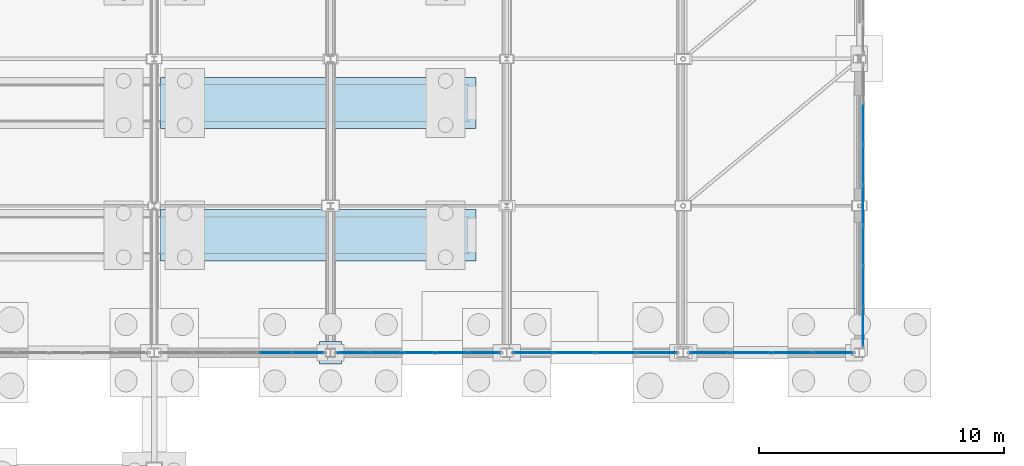
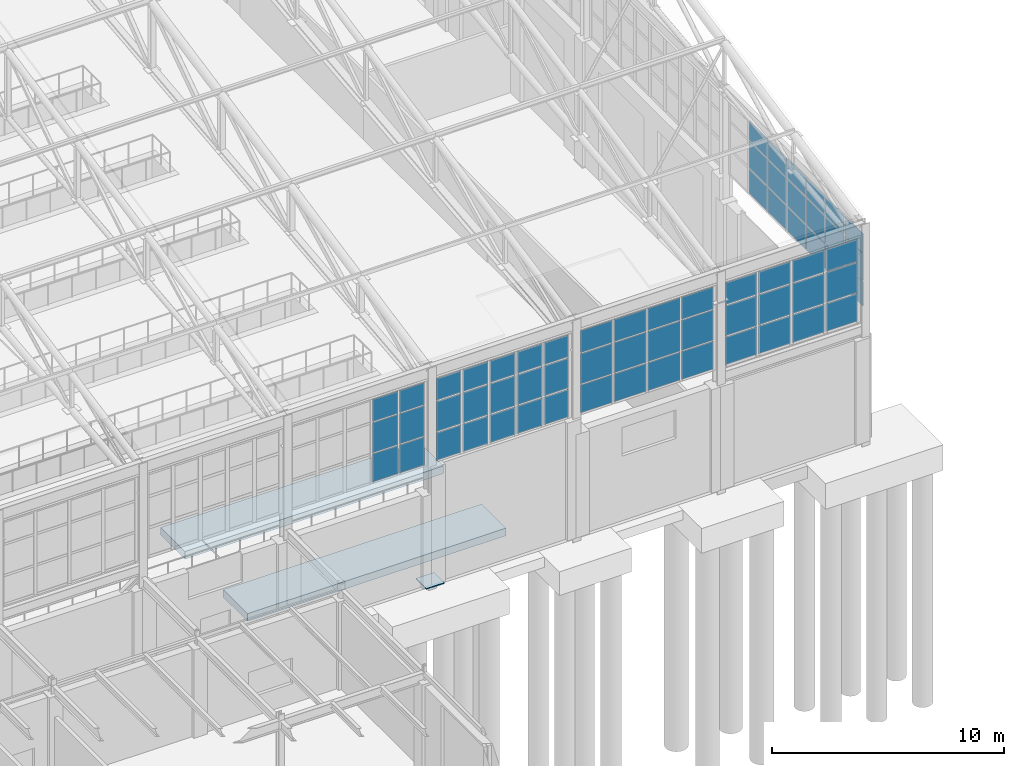
# One storey, part 246 of 293: 64 plates, 2 slabs, 5 elements without a shape of their own.
"""IFC4 building model written with IfcOpenShell, lengths in metres."""

from ifc_helpers import new_model, si_unit, direction, frame, origin, origin_2d, place, context, subcontext, project, spatial, polyline, rectangle, outline, extrude, material, layer, layer_set, type_object, element, aggregate, save


model = new_model("IFC4")

# Units and contexts
model_context = context("Model", 3, precision=1e-05, world=origin(), true_north=direction((0.0, 1.0)))
body_context = subcontext(model_context, "Body", "Model", "MODEL_VIEW")
ifc_project = project(units=[si_unit("LENGTHUNIT", "METRE"), si_unit("AREAUNIT", "SQUARE_METRE"), si_unit("VOLUMEUNIT", "CUBIC_METRE"), si_unit("PLANEANGLEUNIT", "RADIAN"), si_unit("MASSUNIT", "GRAM", prefix="KILO")], contexts=[model_context])

# Site, building, storey
site_placement = place(None, origin())
site = spatial("IfcSite", under=ifc_project, at=site_placement, CompositionType="ELEMENT")
building_placement = place(site_placement, origin())
building = spatial("IfcBuilding", under=site, at=building_placement, Name="Kemerveld Promenade Tramway Depot", CompositionType="ELEMENT")
storey_placement = place(building_placement, origin())
storey = spatial("IfcBuildingStorey", under=building, at=storey_placement, Name="L00", CompositionType="ELEMENT", Elevation=0.0)

# Curtain wall, plates
ifc_material_1 = material(Name="Bronze anodised aluminium and solar glass", Category="aluminium")
ifc_layer_1 = layer(ifc_material_1, 0.159912109375)
ifc_layer_set_1 = layer_set([ifc_layer_1], Name="CW-SYS-11")
curtain_wall_type_1 = type_object("IfcCurtainWallType", Name="CW-SYS-11", PredefinedType="USERDEFINED", material=ifc_layer_set_1)
curtain_wall_1_placement = place(storey_placement, origin())
curtain_wall_1 = element("IfcCurtainWall", 1, at=curtain_wall_1_placement, inside=storey, type_object=curtain_wall_type_1, Name="CW-V1-E-01", ObjectType="GLAZED_CURTAIN_WALL", PredefinedType="USERDEFINED")
ifc_material_2 = material(Name="Solar-control laminated double glazing", Category="glass")
ifc_layer_2 = layer(ifc_material_2, 0.028076171875)
ifc_layer_set_2 = layer_set([ifc_layer_2], Name="CW-PNL-03")
plate_type_1 = type_object("IfcPlateType", Name="CW-PNL-03", PredefinedType="CURTAIN_PANEL", material=ifc_layer_set_2)
plate_1_placement = place(storey_placement, frame((187.35009765625, 93.332275390625, 6.7099609375), z_axis=(0.0, 0.0, 1.0), x_axis=(0.0, -1.0, 0.0)))
plate_1 = element("IfcPlate", 2, at=plate_1_placement, type_object=plate_type_1, Name="CW11 panel 2.1", PredefinedType="CURTAIN_PANEL", context=body_context, shape_type="SweptSolid", body=[
    extrude(rectangle(XDim=1.591064453125, YDim=0.028076171875, at=origin_2d()), origin(), (0.0, 0.0, 1.0), 1.29296875),
])
plate_2_placement = place(storey_placement, frame((187.35009765625, 93.332275390625, 8.06298828125), z_axis=(0.0, 0.0, 1.0), x_axis=(0.0, -1.0, 0.0)))
plate_2 = element("IfcPlate", 3, at=plate_2_placement, type_object=plate_type_1, Name="CW11 panel 2.2", PredefinedType="CURTAIN_PANEL", context=body_context, shape_type="SweptSolid", body=[
    extrude(rectangle(XDim=1.591064453125, YDim=0.028076171875, at=origin_2d()), origin(), (0.0, 0.0, 1.0), 1.40087890625),
])
plate_3_placement = place(storey_placement, frame((187.35009765625, 93.332275390625, 9.52392578125), z_axis=(0.0, 0.0, 1.0), x_axis=(0.0, -1.0, 0.0)))
plate_3 = element("IfcPlate", 4, at=plate_3_placement, type_object=plate_type_1, Name="CW11 panel 2.3", PredefinedType="CURTAIN_PANEL", context=body_context, shape_type="SweptSolid", body=[
    extrude(rectangle(XDim=1.591064453125, YDim=0.028076171875, at=origin_2d()), origin(), (0.0, 0.0, 1.0), 1.01611328125),
])
plate_4_placement = place(storey_placement, frame((187.35009765625, 91.676025390625, 6.7099609375), z_axis=(0.0, 0.0, 1.0), x_axis=(0.0, -1.0, 0.0)))
plate_4 = element("IfcPlate", 5, at=plate_4_placement, type_object=plate_type_1, Name="CW11 panel 3.1", PredefinedType="CURTAIN_PANEL", context=body_context, shape_type="SweptSolid", body=[
    extrude(rectangle(XDim=1.591064453125, YDim=0.028076171875, at=origin_2d()), origin(), (0.0, 0.0, 1.0), 1.29296875),
])
plate_5_placement = place(storey_placement, frame((187.35009765625, 91.676025390625, 8.06298828125), z_axis=(0.0, 0.0, 1.0), x_axis=(0.0, -1.0, 0.0)))
plate_5 = element("IfcPlate", 6, at=plate_5_placement, type_object=plate_type_1, Name="CW11 panel 3.2", PredefinedType="CURTAIN_PANEL", context=body_context, shape_type="SweptSolid", body=[
    extrude(rectangle(XDim=1.591064453125, YDim=0.028076171875, at=origin_2d()), origin(), (0.0, 0.0, 1.0), 1.40087890625),
])
plate_6_placement = place(storey_placement, frame((187.35009765625, 91.676025390625, 9.52392578125), z_axis=(0.0, 0.0, 1.0), x_axis=(0.0, -1.0, 0.0)))
plate_6 = element("IfcPlate", 7, at=plate_6_placement, type_object=plate_type_1, Name="CW11 panel 3.3", PredefinedType="CURTAIN_PANEL", context=body_context, shape_type="SweptSolid", body=[
    extrude(rectangle(XDim=1.591064453125, YDim=0.028076171875, at=origin_2d()), origin(), (0.0, 0.0, 1.0), 1.01611328125),
])
plate_7_placement = place(storey_placement, frame((187.35009765625, 90.019775390625, 6.7099609375), z_axis=(0.0, 0.0, 1.0), x_axis=(0.0, -1.0, 0.0)))
plate_7 = element("IfcPlate", 8, at=plate_7_placement, type_object=plate_type_1, Name="CW11 panel 4.1", PredefinedType="CURTAIN_PANEL", context=body_context, shape_type="SweptSolid", body=[
    extrude(rectangle(XDim=1.591064453125, YDim=0.028076171875, at=origin_2d()), origin(), (0.0, 0.0, 1.0), 1.29296875),
])
plate_8_placement = place(storey_placement, frame((187.35009765625, 90.019775390625, 8.06298828125), z_axis=(0.0, 0.0, 1.0), x_axis=(0.0, -1.0, 0.0)))
plate_8 = element("IfcPlate", 9, at=plate_8_placement, type_object=plate_type_1, Name="CW11 panel 4.2", PredefinedType="CURTAIN_PANEL", context=body_context, shape_type="SweptSolid", body=[
    extrude(rectangle(XDim=1.591064453125, YDim=0.028076171875, at=origin_2d()), origin(), (0.0, 0.0, 1.0), 1.40087890625),
])
plate_9_placement = place(storey_placement, frame((187.35009765625, 90.019775390625, 9.52392578125), z_axis=(0.0, 0.0, 1.0), x_axis=(0.0, -1.0, 0.0)))
plate_9 = element("IfcPlate", 10, at=plate_9_placement, type_object=plate_type_1, Name="CW11 panel 4.3", PredefinedType="CURTAIN_PANEL", context=body_context, shape_type="SweptSolid", body=[
    extrude(rectangle(XDim=1.591064453125, YDim=0.028076171875, at=origin_2d()), origin(), (0.0, 0.0, 1.0), 1.01611328125),
])
plate_10_placement = place(storey_placement, frame((187.35009765625, 88.36376953125, 6.7099609375), z_axis=(0.0, 0.0, 1.0), x_axis=(0.0, -1.0, 0.0)))
plate_10 = element("IfcPlate", 11, at=plate_10_placement, type_object=plate_type_1, Name="CW11 panel 5.1", PredefinedType="CURTAIN_PANEL", context=body_context, shape_type="SweptSolid", body=[
    extrude(rectangle(XDim=1.591064453125, YDim=0.028076171875, at=origin_2d()), origin(), (0.0, 0.0, 1.0), 1.29296875),
])
plate_11_placement = place(storey_placement, frame((187.35009765625, 88.36376953125, 8.06298828125), z_axis=(0.0, 0.0, 1.0), x_axis=(0.0, -1.0, 0.0)))
plate_11 = element("IfcPlate", 12, at=plate_11_placement, type_object=plate_type_1, Name="CW11 panel 5.2", PredefinedType="CURTAIN_PANEL", context=body_context, shape_type="SweptSolid", body=[
    extrude(rectangle(XDim=1.591064453125, YDim=0.028076171875, at=origin_2d()), origin(), (0.0, 0.0, 1.0), 1.40087890625),
])
plate_12_placement = place(storey_placement, frame((187.35009765625, 88.36376953125, 9.52392578125), z_axis=(0.0, 0.0, 1.0), x_axis=(0.0, -1.0, 0.0)))
plate_12 = element("IfcPlate", 13, at=plate_12_placement, type_object=plate_type_1, Name="CW11 panel 5.3", PredefinedType="CURTAIN_PANEL", context=body_context, shape_type="SweptSolid", body=[
    extrude(rectangle(XDim=1.591064453125, YDim=0.028076171875, at=origin_2d()), origin(), (0.0, 0.0, 1.0), 1.01611328125),
])
plate_13_placement = place(storey_placement, frame((187.35009765625, 86.70751953125, 6.7099609375), z_axis=(0.0, 0.0, 1.0), x_axis=(0.0, -1.0, 0.0)))
plate_13 = element("IfcPlate", 14, at=plate_13_placement, type_object=plate_type_1, Name="CW11 panel 6.1", PredefinedType="CURTAIN_PANEL", context=body_context, shape_type="SweptSolid", body=[
    extrude(rectangle(XDim=1.591064453125, YDim=0.028076171875, at=origin_2d()), origin(), (0.0, 0.0, 1.0), 1.29296875),
])
plate_14_placement = place(storey_placement, frame((187.35009765625, 86.70751953125, 8.06298828125), z_axis=(0.0, 0.0, 1.0), x_axis=(0.0, -1.0, 0.0)))
plate_14 = element("IfcPlate", 15, at=plate_14_placement, type_object=plate_type_1, Name="CW11 panel 6.2", PredefinedType="CURTAIN_PANEL", context=body_context, shape_type="SweptSolid", body=[
    extrude(rectangle(XDim=1.591064453125, YDim=0.028076171875, at=origin_2d()), origin(), (0.0, 0.0, 1.0), 1.40087890625),
])
plate_15_placement = place(storey_placement, frame((187.35009765625, 86.70751953125, 9.52392578125), z_axis=(0.0, 0.0, 1.0), x_axis=(0.0, -1.0, 0.0)))
plate_15 = element("IfcPlate", 16, at=plate_15_placement, type_object=plate_type_1, Name="CW11 panel 6.3", PredefinedType="CURTAIN_PANEL", context=body_context, shape_type="SweptSolid", body=[
    extrude(rectangle(XDim=1.591064453125, YDim=0.028076171875, at=origin_2d()), origin(), (0.0, 0.0, 1.0), 1.01611328125),
])
plate_16_placement = place(storey_placement, frame((187.35009765625, 85.067626953125, 6.7099609375), z_axis=(0.0, 0.0, 1.0), x_axis=(0.0, -1.0, 0.0)))
plate_16 = element("IfcPlate", 17, at=plate_16_placement, type_object=plate_type_1, Name="CW11 panel 7.1", PredefinedType="CURTAIN_PANEL", context=body_context, shape_type="SweptSolid", body=[
    extrude(rectangle(XDim=1.55859375, YDim=0.028076171875, at=origin_2d()), origin(), (0.0, 0.0, 1.0), 1.29296875),
])
plate_17_placement = place(storey_placement, frame((187.35009765625, 85.067626953125, 8.06298828125), z_axis=(0.0, 0.0, 1.0), x_axis=(0.0, -1.0, 0.0)))
plate_17 = element("IfcPlate", 18, at=plate_17_placement, type_object=plate_type_1, Name="CW11 panel 7.2", PredefinedType="CURTAIN_PANEL", context=body_context, shape_type="SweptSolid", body=[
    extrude(rectangle(XDim=1.55859375, YDim=0.028076171875, at=origin_2d()), origin(), (0.0, 0.0, 1.0), 1.40087890625),
])
plate_18_placement = place(storey_placement, frame((187.35009765625, 85.067626953125, 9.52392578125), z_axis=(0.0, 0.0, 1.0), x_axis=(0.0, -1.0, 0.0)))
plate_18 = element("IfcPlate", 19, at=plate_18_placement, type_object=plate_type_1, Name="CW11 panel 7.3", PredefinedType="CURTAIN_PANEL", context=body_context, shape_type="SweptSolid", body=[
    extrude(rectangle(XDim=1.55859375, YDim=0.028076171875, at=origin_2d()), origin(), (0.0, 0.0, 1.0), 1.01611328125),
])
aggregate(curtain_wall_1, [plate_1, plate_2, plate_3, plate_4, plate_5, plate_6, plate_7, plate_8, plate_9, plate_10, plate_11, plate_12, plate_13, plate_14, plate_15, plate_16, plate_17, plate_18])

ifc_layer_3 = layer(ifc_material_1, 0.159912109375)
ifc_layer_set_3 = layer_set([ifc_layer_3], Name="CW-SYS-07")
curtain_wall_type_2 = type_object("IfcCurtainWallType", Name="CW-SYS-07", PredefinedType="USERDEFINED", material=ifc_layer_set_3)
curtain_wall_2_placement = place(storey_placement, origin())
curtain_wall_2 = element("IfcCurtainWall", 20, at=curtain_wall_2_placement, inside=storey, type_object=curtain_wall_type_2, Name="CW-V1-S-18", ObjectType="GLAZED_CURTAIN_WALL", PredefinedType="USERDEFINED")
ifc_layer_4 = layer(ifc_material_2, 0.031982421875)
ifc_layer_set_4 = layer_set([ifc_layer_4], Name="CW-PNL-05")
plate_type_2 = type_object("IfcPlateType", Name="CW-PNL-05", PredefinedType="CURTAIN_PANEL", material=ifc_layer_set_4)
plate_19_placement = place(storey_placement, frame((164.685302734375, 84.0, 6.259765625), z_axis=(0.0, 0.0, 1.0), x_axis=(-1.0, 0.0, 0.0)))
plate_19 = element("IfcPlate", 21, at=plate_19_placement, type_object=plate_type_2, Name="CW07 panel 1.1", PredefinedType="CURTAIN_PANEL", context=body_context, shape_type="SweptSolid", body=[
    extrude(rectangle(XDim=1.253173828125, YDim=0.031982421875, at=origin_2d()), origin(), (0.0, 0.0, 1.0), 1.468017578125),
])
plate_20_placement = place(storey_placement, frame((164.685302734375, 84.0, 7.7880859375), z_axis=(0.0, 0.0, 1.0), x_axis=(-1.0, 0.0, 0.0)))
plate_20 = element("IfcPlate", 22, at=plate_20_placement, type_object=plate_type_2, Name="CW07 panel 1.2", PredefinedType="CURTAIN_PANEL", context=body_context, shape_type="SweptSolid", body=[
    extrude(rectangle(XDim=1.253173828125, YDim=0.031982421875, at=origin_2d()), origin(), (0.0, 0.0, 1.0), 1.5859375),
])
plate_21_placement = place(storey_placement, frame((164.685302734375, 84.0, 9.43408203125), z_axis=(0.0, 0.0, 1.0), x_axis=(-1.0, 0.0, 0.0)))
plate_21 = element("IfcPlate", 23, at=plate_21_placement, type_object=plate_type_2, Name="CW07 panel 1.3", PredefinedType="CURTAIN_PANEL", context=body_context, shape_type="SweptSolid", body=[
    extrude(rectangle(XDim=1.253173828125, YDim=0.031982421875, at=origin_2d()), origin(), (0.0, 0.0, 1.0), 1.156005859375),
])
plate_22_placement = place(storey_placement, frame((163.350830078125, 84.0, 6.259765625), z_axis=(0.0, 0.0, 1.0), x_axis=(-1.0, 0.0, 0.0)))
plate_22 = element("IfcPlate", 24, at=plate_22_placement, type_object=plate_type_2, Name="CW07 panel 2.1", PredefinedType="CURTAIN_PANEL", context=body_context, shape_type="SweptSolid", body=[
    extrude(rectangle(XDim=1.28564453125, YDim=0.031982421875, at=origin_2d()), origin(), (0.0, 0.0, 1.0), 1.468017578125),
])
plate_23_placement = place(storey_placement, frame((163.350830078125, 84.0, 7.7880859375), z_axis=(0.0, 0.0, 1.0), x_axis=(-1.0, 0.0, 0.0)))
plate_23 = element("IfcPlate", 25, at=plate_23_placement, type_object=plate_type_2, Name="CW07 panel 2.2", PredefinedType="CURTAIN_PANEL", context=body_context, shape_type="SweptSolid", body=[
    extrude(rectangle(XDim=1.28564453125, YDim=0.031982421875, at=origin_2d()), origin(), (0.0, 0.0, 1.0), 1.5859375),
])
plate_24_placement = place(storey_placement, frame((163.350830078125, 84.0, 9.43408203125), z_axis=(0.0, 0.0, 1.0), x_axis=(-1.0, 0.0, 0.0)))
plate_24 = element("IfcPlate", 26, at=plate_24_placement, type_object=plate_type_2, Name="CW07 panel 2.3", PredefinedType="CURTAIN_PANEL", context=body_context, shape_type="SweptSolid", body=[
    extrude(rectangle(XDim=1.28564453125, YDim=0.031982421875, at=origin_2d()), origin(), (0.0, 0.0, 1.0), 1.156005859375),
])
aggregate(curtain_wall_2, [plate_19, plate_20, plate_21, plate_22, plate_23, plate_24])

ifc_layer_5 = layer(ifc_material_1, 0.199951171875)
ifc_layer_set_5 = layer_set([ifc_layer_5], Name="CW-SYS-08")
curtain_wall_type_3 = type_object("IfcCurtainWallType", Name="CW-SYS-08", PredefinedType="USERDEFINED", material=ifc_layer_set_5)
curtain_wall_3_placement = place(storey_placement, origin())
curtain_wall_3 = element("IfcCurtainWall", 27, at=curtain_wall_3_placement, inside=storey, type_object=curtain_wall_type_3, Name="CW-V1-S-19", ObjectType="GLAZED_CURTAIN_WALL", PredefinedType="USERDEFINED")
ifc_layer_6 = layer(ifc_material_2, 0.02587890625)
ifc_layer_set_6 = layer_set([ifc_layer_6], Name="CW-PNL-06")
plate_type_3 = type_object("IfcPlateType", Name="CW-PNL-06", PredefinedType="CURTAIN_PANEL", material=ifc_layer_set_6)
plate_25_placement = place(storey_placement, frame((171.882568359375, 84.0, 6.26513671875), z_axis=(0.0, 0.0, 1.0), x_axis=(-1.0, 0.0, 0.0)))
plate_25 = element("IfcPlate", 28, at=plate_25_placement, type_object=plate_type_3, Name="CW08 panel 1.1", PredefinedType="CURTAIN_PANEL", context=body_context, shape_type="SweptSolid", body=[
    extrude(rectangle(XDim=1.23828125, YDim=0.02587890625, at=origin_2d()), origin(), (0.0, 0.0, 1.0), 1.46044921875),
])
plate_26_placement = place(storey_placement, frame((171.882568359375, 84.0, 7.79052734375), z_axis=(0.0, 0.0, 1.0), x_axis=(-1.0, 0.0, 0.0)))
plate_26 = element("IfcPlate", 29, at=plate_26_placement, type_object=plate_type_3, Name="CW08 panel 1.2", PredefinedType="CURTAIN_PANEL", context=body_context, shape_type="SweptSolid", body=[
    extrude(rectangle(XDim=1.23828125, YDim=0.02587890625, at=origin_2d()), origin(), (0.0, 0.0, 1.0), 1.5810546875),
])
plate_27_placement = place(storey_placement, frame((171.882568359375, 84.0, 9.4365234375), z_axis=(0.0, 0.0, 1.0), x_axis=(-1.0, 0.0, 0.0)))
plate_27 = element("IfcPlate", 30, at=plate_27_placement, type_object=plate_type_3, Name="CW08 panel 1.3", PredefinedType="CURTAIN_PANEL", context=body_context, shape_type="SweptSolid", body=[
    extrude(rectangle(XDim=1.23828125, YDim=0.02587890625, at=origin_2d()), origin(), (0.0, 0.0, 1.0), 1.1484375),
])
plate_28_placement = place(storey_placement, frame((170.55078125, 84.0, 6.26513671875), z_axis=(0.0, 0.0, 1.0), x_axis=(-1.0, 0.0, 0.0)))
plate_28 = element("IfcPlate", 31, at=plate_28_placement, type_object=plate_type_3, Name="CW08 panel 2.1", PredefinedType="CURTAIN_PANEL", context=body_context, shape_type="SweptSolid", body=[
    extrude(rectangle(XDim=1.275634765625, YDim=0.02587890625, at=origin_2d()), origin(), (0.0, 0.0, 1.0), 1.46044921875),
])
plate_29_placement = place(storey_placement, frame((170.55078125, 84.0, 7.79052734375), z_axis=(0.0, 0.0, 1.0), x_axis=(-1.0, 0.0, 0.0)))
plate_29 = element("IfcPlate", 32, at=plate_29_placement, type_object=plate_type_3, Name="CW08 panel 2.2", PredefinedType="CURTAIN_PANEL", context=body_context, shape_type="SweptSolid", body=[
    extrude(rectangle(XDim=1.275634765625, YDim=0.02587890625, at=origin_2d()), origin(), (0.0, 0.0, 1.0), 1.5810546875),
])
plate_30_placement = place(storey_placement, frame((170.55078125, 84.0, 9.4365234375), z_axis=(0.0, 0.0, 1.0), x_axis=(-1.0, 0.0, 0.0)))
plate_30 = element("IfcPlate", 33, at=plate_30_placement, type_object=plate_type_3, Name="CW08 panel 2.3", PredefinedType="CURTAIN_PANEL", context=body_context, shape_type="SweptSolid", body=[
    extrude(rectangle(XDim=1.275634765625, YDim=0.02587890625, at=origin_2d()), origin(), (0.0, 0.0, 1.0), 1.1484375),
])
plate_31_placement = place(storey_placement, frame((169.199951171875, 84.0, 6.26513671875), z_axis=(0.0, 0.0, 1.0), x_axis=(-1.0, 0.0, 0.0)))
plate_31 = element("IfcPlate", 34, at=plate_31_placement, type_object=plate_type_3, Name="CW08 panel 3.1", PredefinedType="CURTAIN_PANEL", context=body_context, shape_type="SweptSolid", body=[
    extrude(rectangle(XDim=1.275634765625, YDim=0.02587890625, at=origin_2d()), origin(), (0.0, 0.0, 1.0), 1.46044921875),
])
plate_32_placement = place(storey_placement, frame((169.199951171875, 84.0, 7.79052734375), z_axis=(0.0, 0.0, 1.0), x_axis=(-1.0, 0.0, 0.0)))
plate_32 = element("IfcPlate", 35, at=plate_32_placement, type_object=plate_type_3, Name="CW08 panel 3.2", PredefinedType="CURTAIN_PANEL", context=body_context, shape_type="SweptSolid", body=[
    extrude(rectangle(XDim=1.275634765625, YDim=0.02587890625, at=origin_2d()), origin(), (0.0, 0.0, 1.0), 1.5810546875),
])
plate_33_placement = place(storey_placement, frame((169.199951171875, 84.0, 9.4365234375), z_axis=(0.0, 0.0, 1.0), x_axis=(-1.0, 0.0, 0.0)))
plate_33 = element("IfcPlate", 36, at=plate_33_placement, type_object=plate_type_3, Name="CW08 panel 3.3", PredefinedType="CURTAIN_PANEL", context=body_context, shape_type="SweptSolid", body=[
    extrude(rectangle(XDim=1.275634765625, YDim=0.02587890625, at=origin_2d()), origin(), (0.0, 0.0, 1.0), 1.1484375),
])
plate_34_placement = place(storey_placement, frame((167.849365234375, 84.0, 6.26513671875), z_axis=(0.0, 0.0, 1.0), x_axis=(-1.0, 0.0, 0.0)))
plate_34 = element("IfcPlate", 37, at=plate_34_placement, type_object=plate_type_3, Name="CW08 panel 4.1", PredefinedType="CURTAIN_PANEL", context=body_context, shape_type="SweptSolid", body=[
    extrude(rectangle(XDim=1.275634765625, YDim=0.02587890625, at=origin_2d()), origin(), (0.0, 0.0, 1.0), 1.46044921875),
])
plate_35_placement = place(storey_placement, frame((167.849365234375, 84.0, 7.79052734375), z_axis=(0.0, 0.0, 1.0), x_axis=(-1.0, 0.0, 0.0)))
plate_35 = element("IfcPlate", 38, at=plate_35_placement, type_object=plate_type_3, Name="CW08 panel 4.2", PredefinedType="CURTAIN_PANEL", context=body_context, shape_type="SweptSolid", body=[
    extrude(rectangle(XDim=1.275634765625, YDim=0.02587890625, at=origin_2d()), origin(), (0.0, 0.0, 1.0), 1.5810546875),
])
plate_36_placement = place(storey_placement, frame((167.849365234375, 84.0, 9.4365234375), z_axis=(0.0, 0.0, 1.0), x_axis=(-1.0, 0.0, 0.0)))
plate_36 = element("IfcPlate", 39, at=plate_36_placement, type_object=plate_type_3, Name="CW08 panel 4.3", PredefinedType="CURTAIN_PANEL", context=body_context, shape_type="SweptSolid", body=[
    extrude(rectangle(XDim=1.275634765625, YDim=0.02587890625, at=origin_2d()), origin(), (0.0, 0.0, 1.0), 1.1484375),
])
plate_37_placement = place(storey_placement, frame((166.517333984375, 84.0, 6.26513671875), z_axis=(0.0, 0.0, 1.0), x_axis=(-1.0, 0.0, 0.0)))
plate_37 = element("IfcPlate", 40, at=plate_37_placement, type_object=plate_type_3, Name="CW08 panel 5.1", PredefinedType="CURTAIN_PANEL", context=body_context, shape_type="SweptSolid", body=[
    extrude(rectangle(XDim=1.23828125, YDim=0.02587890625, at=origin_2d()), origin(), (0.0, 0.0, 1.0), 1.46044921875),
])
plate_38_placement = place(storey_placement, frame((166.517333984375, 84.0, 7.79052734375), z_axis=(0.0, 0.0, 1.0), x_axis=(-1.0, 0.0, 0.0)))
plate_38 = element("IfcPlate", 41, at=plate_38_placement, type_object=plate_type_3, Name="CW08 panel 5.2", PredefinedType="CURTAIN_PANEL", context=body_context, shape_type="SweptSolid", body=[
    extrude(rectangle(XDim=1.23828125, YDim=0.02587890625, at=origin_2d()), origin(), (0.0, 0.0, 1.0), 1.5810546875),
])
plate_39_placement = place(storey_placement, frame((166.517333984375, 84.0, 9.4365234375), z_axis=(0.0, 0.0, 1.0), x_axis=(-1.0, 0.0, 0.0)))
plate_39 = element("IfcPlate", 42, at=plate_39_placement, type_object=plate_type_3, Name="CW08 panel 5.3", PredefinedType="CURTAIN_PANEL", context=body_context, shape_type="SweptSolid", body=[
    extrude(rectangle(XDim=1.23828125, YDim=0.02587890625, at=origin_2d()), origin(), (0.0, 0.0, 1.0), 1.1484375),
])
aggregate(curtain_wall_3, [plate_25, plate_26, plate_27, plate_28, plate_29, plate_30, plate_31, plate_32, plate_33, plate_34, plate_35, plate_36, plate_37, plate_38, plate_39])

ifc_layer_7 = layer(ifc_material_1, 0.159912109375)
ifc_layer_set_7 = layer_set([ifc_layer_7], Name="CW-SYS-09")
curtain_wall_type_4 = type_object("IfcCurtainWallType", Name="CW-SYS-09", PredefinedType="USERDEFINED", material=ifc_layer_set_7)
curtain_wall_4_placement = place(storey_placement, origin())
curtain_wall_4 = element("IfcCurtainWall", 43, at=curtain_wall_4_placement, inside=storey, type_object=curtain_wall_type_4, Name="CW-V1-S-20", ObjectType="GLAZED_CURTAIN_WALL", PredefinedType="USERDEFINED")
ifc_layer_8 = layer(ifc_material_2, 0.030029296875)
ifc_layer_set_8 = layer_set([ifc_layer_8], Name="CW-PNL-07")
plate_type_4 = type_object("IfcPlateType", Name="CW-PNL-07", PredefinedType="CURTAIN_PANEL", material=ifc_layer_set_8)
plate_40_placement = place(storey_placement, frame((178.916259765625, 84.0, 6.259765625), z_axis=(0.0, 0.0, 1.0), x_axis=(-1.0, 0.0, 0.0)))
plate_40 = element("IfcPlate", 44, at=plate_40_placement, type_object=plate_type_4, Name="CW09 panel 1.1", PredefinedType="CURTAIN_PANEL", context=body_context, shape_type="SweptSolid", body=[
    extrude(rectangle(XDim=1.5908203125, YDim=0.030029296875, at=origin_2d()), origin(), (0.0, 0.0, 1.0), 1.468017578125),
])
plate_41_placement = place(storey_placement, frame((178.916259765625, 84.0, 7.7880859375), z_axis=(0.0, 0.0, 1.0), x_axis=(-1.0, 0.0, 0.0)))
plate_41 = element("IfcPlate", 45, at=plate_41_placement, type_object=plate_type_4, Name="CW09 panel 1.2", PredefinedType="CURTAIN_PANEL", context=body_context, shape_type="SweptSolid", body=[
    extrude(rectangle(XDim=1.5908203125, YDim=0.030029296875, at=origin_2d()), origin(), (0.0, 0.0, 1.0), 1.5859375),
])
plate_42_placement = place(storey_placement, frame((178.916259765625, 84.0, 9.43408203125), z_axis=(0.0, 0.0, 1.0), x_axis=(-1.0, 0.0, 0.0)))
plate_42 = element("IfcPlate", 46, at=plate_42_placement, type_object=plate_type_4, Name="CW09 panel 1.3", PredefinedType="CURTAIN_PANEL", context=body_context, shape_type="SweptSolid", body=[
    extrude(rectangle(XDim=1.5908203125, YDim=0.030029296875, at=origin_2d()), origin(), (0.0, 0.0, 1.0), 1.156005859375),
])
plate_43_placement = place(storey_placement, frame((177.244140625, 84.0, 6.259765625), z_axis=(0.0, 0.0, 1.0), x_axis=(-1.0, 0.0, 0.0)))
plate_43 = element("IfcPlate", 47, at=plate_43_placement, type_object=plate_type_4, Name="CW09 panel 2.1", PredefinedType="CURTAIN_PANEL", context=body_context, shape_type="SweptSolid", body=[
    extrude(rectangle(XDim=1.623291015625, YDim=0.030029296875, at=origin_2d()), origin(), (0.0, 0.0, 1.0), 1.468017578125),
])
plate_44_placement = place(storey_placement, frame((177.244140625, 84.0, 7.7880859375), z_axis=(0.0, 0.0, 1.0), x_axis=(-1.0, 0.0, 0.0)))
plate_44 = element("IfcPlate", 48, at=plate_44_placement, type_object=plate_type_4, Name="CW09 panel 2.2", PredefinedType="CURTAIN_PANEL", context=body_context, shape_type="SweptSolid", body=[
    extrude(rectangle(XDim=1.623291015625, YDim=0.030029296875, at=origin_2d()), origin(), (0.0, 0.0, 1.0), 1.5859375),
])
plate_45_placement = place(storey_placement, frame((177.244140625, 84.0, 9.43408203125), z_axis=(0.0, 0.0, 1.0), x_axis=(-1.0, 0.0, 0.0)))
plate_45 = element("IfcPlate", 49, at=plate_45_placement, type_object=plate_type_4, Name="CW09 panel 2.3", PredefinedType="CURTAIN_PANEL", context=body_context, shape_type="SweptSolid", body=[
    extrude(rectangle(XDim=1.623291015625, YDim=0.030029296875, at=origin_2d()), origin(), (0.0, 0.0, 1.0), 1.156005859375),
])
plate_46_placement = place(storey_placement, frame((175.555908203125, 84.0, 6.259765625), z_axis=(0.0, 0.0, 1.0), x_axis=(-1.0, 0.0, 0.0)))
plate_46 = element("IfcPlate", 50, at=plate_46_placement, type_object=plate_type_4, Name="CW09 panel 3.1", PredefinedType="CURTAIN_PANEL", context=body_context, shape_type="SweptSolid", body=[
    extrude(rectangle(XDim=1.623291015625, YDim=0.030029296875, at=origin_2d()), origin(), (0.0, 0.0, 1.0), 1.468017578125),
])
plate_47_placement = place(storey_placement, frame((175.555908203125, 84.0, 7.7880859375), z_axis=(0.0, 0.0, 1.0), x_axis=(-1.0, 0.0, 0.0)))
plate_47 = element("IfcPlate", 51, at=plate_47_placement, type_object=plate_type_4, Name="CW09 panel 3.2", PredefinedType="CURTAIN_PANEL", context=body_context, shape_type="SweptSolid", body=[
    extrude(rectangle(XDim=1.623291015625, YDim=0.030029296875, at=origin_2d()), origin(), (0.0, 0.0, 1.0), 1.5859375),
])
plate_48_placement = place(storey_placement, frame((175.555908203125, 84.0, 9.43408203125), z_axis=(0.0, 0.0, 1.0), x_axis=(-1.0, 0.0, 0.0)))
plate_48 = element("IfcPlate", 52, at=plate_48_placement, type_object=plate_type_4, Name="CW09 panel 3.3", PredefinedType="CURTAIN_PANEL", context=body_context, shape_type="SweptSolid", body=[
    extrude(rectangle(XDim=1.623291015625, YDim=0.030029296875, at=origin_2d()), origin(), (0.0, 0.0, 1.0), 1.156005859375),
])
plate_49_placement = place(storey_placement, frame((173.883544921875, 84.0, 6.259765625), z_axis=(0.0, 0.0, 1.0), x_axis=(-1.0, 0.0, 0.0)))
plate_49 = element("IfcPlate", 53, at=plate_49_placement, type_object=plate_type_4, Name="CW09 panel 4.1", PredefinedType="CURTAIN_PANEL", context=body_context, shape_type="SweptSolid", body=[
    extrude(rectangle(XDim=1.5908203125, YDim=0.030029296875, at=origin_2d()), origin(), (0.0, 0.0, 1.0), 1.468017578125),
])
plate_50_placement = place(storey_placement, frame((173.883544921875, 84.0, 7.7880859375), z_axis=(0.0, 0.0, 1.0), x_axis=(-1.0, 0.0, 0.0)))
plate_50 = element("IfcPlate", 54, at=plate_50_placement, type_object=plate_type_4, Name="CW09 panel 4.2", PredefinedType="CURTAIN_PANEL", context=body_context, shape_type="SweptSolid", body=[
    extrude(rectangle(XDim=1.5908203125, YDim=0.030029296875, at=origin_2d()), origin(), (0.0, 0.0, 1.0), 1.5859375),
])
plate_51_placement = place(storey_placement, frame((173.883544921875, 84.0, 9.43408203125), z_axis=(0.0, 0.0, 1.0), x_axis=(-1.0, 0.0, 0.0)))
plate_51 = element("IfcPlate", 55, at=plate_51_placement, type_object=plate_type_4, Name="CW09 panel 4.3", PredefinedType="CURTAIN_PANEL", context=body_context, shape_type="SweptSolid", body=[
    extrude(rectangle(XDim=1.5908203125, YDim=0.030029296875, at=origin_2d()), origin(), (0.0, 0.0, 1.0), 1.156005859375),
])
aggregate(curtain_wall_4, [plate_40, plate_41, plate_42, plate_43, plate_44, plate_45, plate_46, plate_47, plate_48, plate_49, plate_50, plate_51])

ifc_layer_9 = layer(ifc_material_1, 0.199951171875)
ifc_layer_set_9 = layer_set([ifc_layer_9], Name="CW-SYS-10")
curtain_wall_type_5 = type_object("IfcCurtainWallType", Name="CW-SYS-10", PredefinedType="USERDEFINED", material=ifc_layer_set_9)
curtain_wall_5_placement = place(storey_placement, origin())
curtain_wall_5 = element("IfcCurtainWall", 56, at=curtain_wall_5_placement, inside=storey, type_object=curtain_wall_type_5, Name="CW-V1-S-21", ObjectType="GLAZED_CURTAIN_WALL", PredefinedType="USERDEFINED")
ifc_layer_10 = layer(ifc_material_2, 0.028076171875)
ifc_layer_set_10 = layer_set([ifc_layer_10], Name="CW-PNL-08")
plate_type_5 = type_object("IfcPlateType", Name="CW-PNL-08", PredefinedType="CURTAIN_PANEL", material=ifc_layer_set_10)
plate_52_placement = place(storey_placement, frame((186.11376953125, 84.0, 6.26513671875), z_axis=(0.0, 0.0, 1.0), x_axis=(-1.0, 0.0, 0.0)))
plate_52 = element("IfcPlate", 57, at=plate_52_placement, type_object=plate_type_5, Name="CW10 panel 1.1", PredefinedType="CURTAIN_PANEL", context=body_context, shape_type="SweptSolid", body=[
    extrude(rectangle(XDim=1.575927734375, YDim=0.028076171875, at=origin_2d()), origin(), (0.0, 0.0, 1.0), 1.46044921875),
])
plate_53_placement = place(storey_placement, frame((186.11376953125, 84.0, 7.79052734375), z_axis=(0.0, 0.0, 1.0), x_axis=(-1.0, 0.0, 0.0)))
plate_53 = element("IfcPlate", 58, at=plate_53_placement, type_object=plate_type_5, Name="CW10 panel 1.2", PredefinedType="CURTAIN_PANEL", context=body_context, shape_type="SweptSolid", body=[
    extrude(rectangle(XDim=1.575927734375, YDim=0.028076171875, at=origin_2d()), origin(), (0.0, 0.0, 1.0), 1.5810546875),
])
plate_54_placement = place(storey_placement, frame((186.11376953125, 84.0, 9.4365234375), z_axis=(0.0, 0.0, 1.0), x_axis=(-1.0, 0.0, 0.0)))
plate_54 = element("IfcPlate", 59, at=plate_54_placement, type_object=plate_type_5, Name="CW10 panel 1.3", PredefinedType="CURTAIN_PANEL", context=body_context, shape_type="SweptSolid", body=[
    extrude(rectangle(XDim=1.575927734375, YDim=0.028076171875, at=origin_2d()), origin(), (0.0, 0.0, 1.0), 1.1484375),
])
plate_55_placement = place(storey_placement, frame((184.444091796875, 84.0, 6.26513671875), z_axis=(0.0, 0.0, 1.0), x_axis=(-1.0, 0.0, 0.0)))
plate_55 = element("IfcPlate", 60, at=plate_55_placement, type_object=plate_type_5, Name="CW10 panel 2.1", PredefinedType="CURTAIN_PANEL", context=body_context, shape_type="SweptSolid", body=[
    extrude(rectangle(XDim=1.61328125, YDim=0.028076171875, at=origin_2d()), origin(), (0.0, 0.0, 1.0), 1.46044921875),
])
plate_56_placement = place(storey_placement, frame((184.444091796875, 84.0, 7.79052734375), z_axis=(0.0, 0.0, 1.0), x_axis=(-1.0, 0.0, 0.0)))
plate_56 = element("IfcPlate", 61, at=plate_56_placement, type_object=plate_type_5, Name="CW10 panel 2.2", PredefinedType="CURTAIN_PANEL", context=body_context, shape_type="SweptSolid", body=[
    extrude(rectangle(XDim=1.61328125, YDim=0.028076171875, at=origin_2d()), origin(), (0.0, 0.0, 1.0), 1.5810546875),
])
plate_57_placement = place(storey_placement, frame((184.444091796875, 84.0, 9.4365234375), z_axis=(0.0, 0.0, 1.0), x_axis=(-1.0, 0.0, 0.0)))
plate_57 = element("IfcPlate", 62, at=plate_57_placement, type_object=plate_type_5, Name="CW10 panel 2.3", PredefinedType="CURTAIN_PANEL", context=body_context, shape_type="SweptSolid", body=[
    extrude(rectangle(XDim=1.61328125, YDim=0.028076171875, at=origin_2d()), origin(), (0.0, 0.0, 1.0), 1.1484375),
])
plate_58_placement = place(storey_placement, frame((182.755859375, 84.0, 6.26513671875), z_axis=(0.0, 0.0, 1.0), x_axis=(-1.0, 0.0, 0.0)))
plate_58 = element("IfcPlate", 63, at=plate_58_placement, type_object=plate_type_5, Name="CW10 panel 3.1", PredefinedType="CURTAIN_PANEL", context=body_context, shape_type="SweptSolid", body=[
    extrude(rectangle(XDim=1.61328125, YDim=0.028076171875, at=origin_2d()), origin(), (0.0, 0.0, 1.0), 1.46044921875),
])
plate_59_placement = place(storey_placement, frame((182.755859375, 84.0, 7.79052734375), z_axis=(0.0, 0.0, 1.0), x_axis=(-1.0, 0.0, 0.0)))
plate_59 = element("IfcPlate", 64, at=plate_59_placement, type_object=plate_type_5, Name="CW10 panel 3.2", PredefinedType="CURTAIN_PANEL", context=body_context, shape_type="SweptSolid", body=[
    extrude(rectangle(XDim=1.61328125, YDim=0.028076171875, at=origin_2d()), origin(), (0.0, 0.0, 1.0), 1.5810546875),
])
plate_60_placement = place(storey_placement, frame((182.755859375, 84.0, 9.4365234375), z_axis=(0.0, 0.0, 1.0), x_axis=(-1.0, 0.0, 0.0)))
plate_60 = element("IfcPlate", 65, at=plate_60_placement, type_object=plate_type_5, Name="CW10 panel 3.3", PredefinedType="CURTAIN_PANEL", context=body_context, shape_type="SweptSolid", body=[
    extrude(rectangle(XDim=1.61328125, YDim=0.028076171875, at=origin_2d()), origin(), (0.0, 0.0, 1.0), 1.1484375),
])
plate_61_placement = place(storey_placement, frame((181.086181640625, 84.0, 6.26513671875), z_axis=(0.0, 0.0, 1.0), x_axis=(-1.0, 0.0, 0.0)))
plate_61 = element("IfcPlate", 66, at=plate_61_placement, type_object=plate_type_5, Name="CW10 panel 4.1", PredefinedType="CURTAIN_PANEL", context=body_context, shape_type="SweptSolid", body=[
    extrude(rectangle(XDim=1.575927734375, YDim=0.028076171875, at=origin_2d()), origin(), (0.0, 0.0, 1.0), 1.46044921875),
])
plate_62_placement = place(storey_placement, frame((181.086181640625, 84.0, 7.79052734375), z_axis=(0.0, 0.0, 1.0), x_axis=(-1.0, 0.0, 0.0)))
plate_62 = element("IfcPlate", 67, at=plate_62_placement, type_object=plate_type_5, Name="CW10 panel 4.2", PredefinedType="CURTAIN_PANEL", context=body_context, shape_type="SweptSolid", body=[
    extrude(rectangle(XDim=1.575927734375, YDim=0.028076171875, at=origin_2d()), origin(), (0.0, 0.0, 1.0), 1.5810546875),
])
plate_63_placement = place(storey_placement, frame((181.086181640625, 84.0, 9.4365234375), z_axis=(0.0, 0.0, 1.0), x_axis=(-1.0, 0.0, 0.0)))
plate_63 = element("IfcPlate", 68, at=plate_63_placement, type_object=plate_type_5, Name="CW10 panel 4.3", PredefinedType="CURTAIN_PANEL", context=body_context, shape_type="SweptSolid", body=[
    extrude(rectangle(XDim=1.575927734375, YDim=0.028076171875, at=origin_2d()), origin(), (0.0, 0.0, 1.0), 1.1484375),
])
aggregate(curtain_wall_5, [plate_52, plate_53, plate_54, plate_55, plate_56, plate_57, plate_58, plate_59, plate_60, plate_61, plate_62, plate_63])

# Plate
ifc_material_3 = material(Name="Steel S355", Category="steel")
ifc_layer_11 = layer(ifc_material_3, 0.044921875)
ifc_layer_set_11 = layer_set([ifc_layer_11], Name="PL-BP01")
plate_type_6 = type_object("IfcPlateType", Name="PL-BP01", PredefinedType="USERDEFINED", material=ifc_layer_set_11)
plate_64_placement = place(storey_placement, frame((165.60009765625, 84.0, 0.0), z_axis=(0.0, 0.0, 1.0), x_axis=(1.0, 0.0, 0.0)))
element("IfcPlate", 69, at=plate_64_placement, inside=storey, type_object=plate_type_6, Name="BP-24-N", ObjectType="BASE_PLATE", PredefinedType="USERDEFINED", context=body_context, shape_type="SweptSolid", body=[
    extrude(rectangle(XDim=0.89990234375, YDim=0.89990234375, at=origin_2d()), origin(), (0.0, 0.0, 1.0), 0.044921875),
])

# Slabs
ifc_material_4 = material(Name="Concrete C40/50", Category="concrete")
ifc_layer_12 = layer(ifc_material_4, 0.39990234375)
ifc_layer_set_12 = layer_set([ifc_layer_12], Name="SL-BS03")
slab_type = type_object("IfcSlabType", Name="SL-BS03", PredefinedType="BASESLAB", material=ifc_layer_set_12)
slab_1_placement = place(storey_placement, frame((0.0, 0.0, -1.949951171875)))
element("IfcSlab", 70, at=slab_1_placement, inside=storey, type_object=slab_type, Name="SLB-PIT-01-E", PredefinedType="BASESLAB", context=body_context, shape_type="SweptSolid", body=[
    extrude(outline(polyline([(158.659912109375, 87.75), (171.550048828125, 87.75), (171.550048828125, 89.85009765625), (158.659912109375, 89.85009765625), (158.659912109375, 87.75)])), origin(), (0.0, 0.0, 1.0), 0.39990234375),
])
slab_2_placement = place(storey_placement, frame((0.0, 0.0, -1.949951171875)))
element("IfcSlab", 71, at=slab_2_placement, inside=storey, type_object=slab_type, Name="SLB-PIT-02-E", PredefinedType="BASESLAB", context=body_context, shape_type="SweptSolid", body=[
    extrude(outline(polyline([(158.659912109375, 93.14990234375), (171.550048828125, 93.14990234375), (171.550048828125, 95.25), (158.659912109375, 95.25), (158.659912109375, 93.14990234375)])), origin(), (0.0, 0.0, 1.0), 0.39990234375),
])

save(model, "model.ifc")
